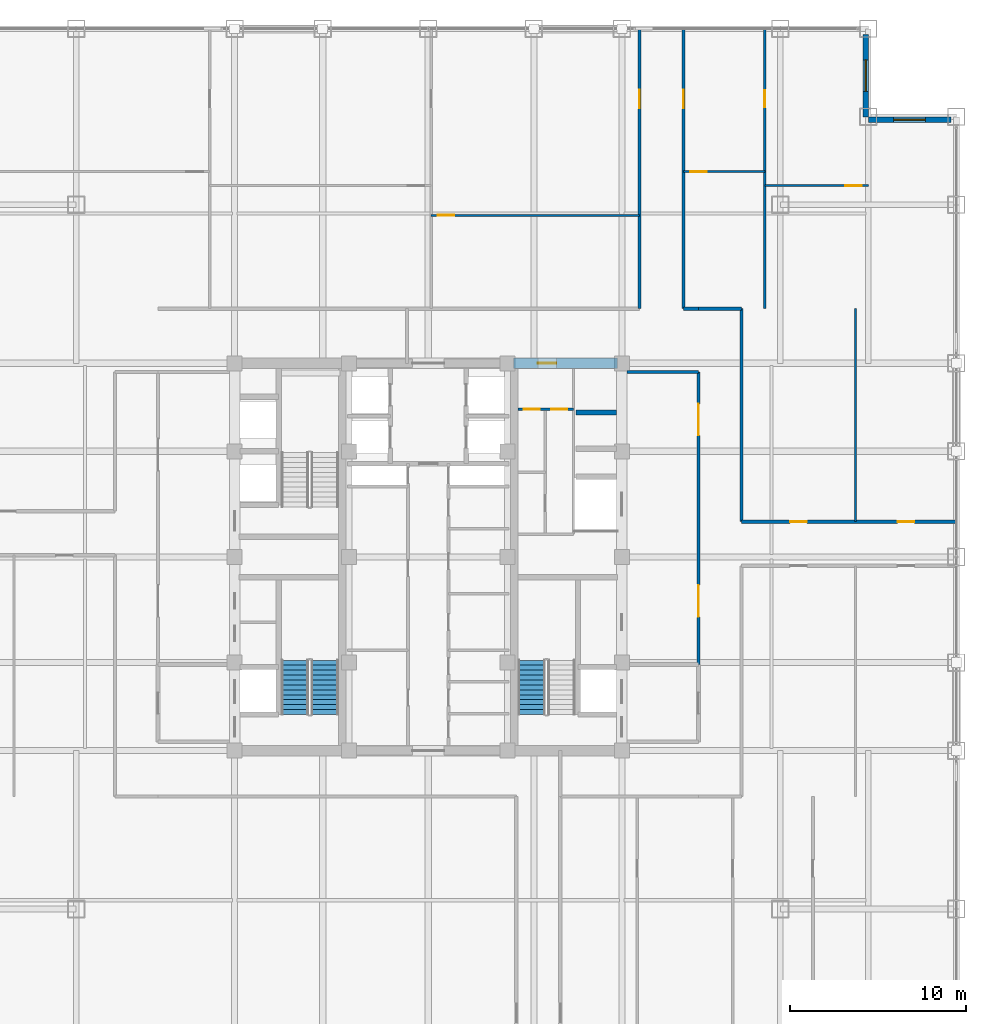
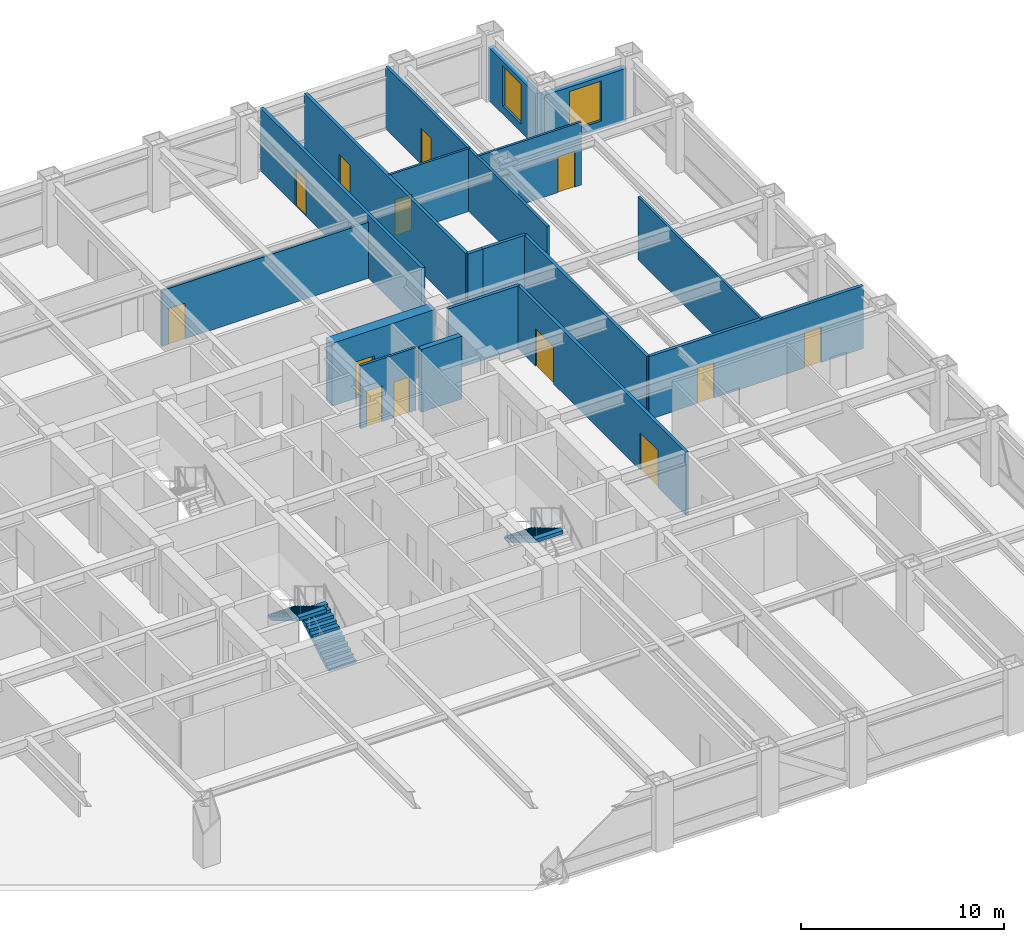
# One storey, part 23 of 25: 18 walls, 13 doors, 3 stair flights, 2 windows, 15 openings, 2 elements without a shape of their own.
"""IFC4 building model written with IfcOpenShell, lengths in metres."""

from ifc_helpers import new_model, si_unit, direction, frame, frame_2d, origin, place, context, subcontext, project, spatial, polyline, rectangle, outline, extrude, source, transform, mapped, material, layer, layer_set, type_object, element, fill, aggregate, save


model = new_model("IFC4")

# Units and contexts
model_context = context("Model", 3, precision=1e-05, world=origin(), true_north=direction((0.0, 1.0)))
body_context = subcontext(model_context, "Body", "Model", "MODEL_VIEW")
ifc_project = project(units=[si_unit("LENGTHUNIT", "METRE"), si_unit("AREAUNIT", "SQUARE_METRE"), si_unit("VOLUMEUNIT", "CUBIC_METRE"), si_unit("PLANEANGLEUNIT", "RADIAN"), si_unit("MASSUNIT", "GRAM", prefix="KILO")], contexts=[model_context])

# Site, building, storey
site_placement = place(None, origin())
site = spatial("IfcSite", under=ifc_project, at=site_placement, CompositionType="ELEMENT")
building_placement = place(site_placement, origin())
building = spatial("IfcBuilding", under=site, at=building_placement, Name="Khorayat Bourse Tower", CompositionType="ELEMENT")
storey_placement = place(building_placement, frame((0.0, 0.0, 223.10009765625)))
storey = spatial("IfcBuildingStorey", under=building, at=storey_placement, Name="L52", CompositionType="ELEMENT", Elevation=223.10009765625)

# Wall, opening, door
ifc_material_1 = material(Name="Concrete C60/75", Category="concrete")
ifc_layer_1 = layer(ifc_material_1, 0.60009765625)
ifc_layer_set_1 = layer_set([ifc_layer_1], Name="Concrete C60/75")
wall_type_1 = type_object("IfcWallType", Name="WAL-CORE-600", PredefinedType="SHEAR", material=ifc_layer_set_1)
shared_shape_1 = source(origin(), body_context, "Body", "SweptSolid", [
    extrude(rectangle(XDim=5.89990234375, YDim=0.60009765625, at=frame_2d((2.949951171875, 0.0))), origin(), (0.0, 0.0, 1.0), 3.77978515625),
])
wall_1_placement = place(storey_placement, frame((4.85009765625, 11.0, 0.0), z_axis=(0.0, 0.0, 1.0), x_axis=(1.0, 0.0, 0.0)))
wall_1 = element("IfcWall", 1, at=wall_1_placement, inside=storey, type_object=wall_type_1, Name="L52 Core Shear Wall PIER-EN", PredefinedType="SHEAR", context=body_context, shape_type="MappedRepresentation", body=[
    mapped(shared_shape_1, transform((0.0, 0.0, 0.0), scale=1.0)),
])
shared_shape_2 = source(origin(), body_context, "Body", "SweptSolid", [
    extrude(rectangle(XDim=1.050048828125, YDim=2.199951171875, at=frame_2d((0.52490234375, 1.10009765625))), frame((0.0, 0.31005859375, 0.0), z_axis=(0.0, -1.0, 0.0), x_axis=(1.0, 0.0, 0.0)), (0.0, 0.0, 1.0), 0.6201171875),
])
opening_1_placement = place(wall_1_placement, frame((1.375, 0.0, 0.0)))
opening_1 = element("IfcOpeningElement", 2, at=opening_1_placement, cuts=wall_1, Name="Opening DI-04", PredefinedType="OPENING", context=body_context, shape_type="MappedRepresentation", body=[
    mapped(shared_shape_2, transform((0.0, 0.0, 0.0), scale=1.0)),
])
ifc_material_2 = material(Name="Fire-rated oak veneer suite entrance door")
door_type_1 = type_object("IfcDoorType", Name="DR-INT-SUITE-1050", OperationType="NOTDEFINED", PredefinedType="DOOR", material=ifc_material_2)
shared_shape_3 = source(origin(), body_context, "Body", "SweptSolid", [
    extrude(rectangle(XDim=1.050048828125, YDim=2.199951171875, at=frame_2d((0.52490234375, 1.10009765625))), frame((0.0, 0.02490234375, 0.0), z_axis=(0.0, -1.0, 0.0), x_axis=(1.0, 0.0, 0.0)), (0.0, 0.0, 1.0), 0.050048828125),
])
door_1_placement = place(opening_1_placement, origin())
door_1 = element("IfcDoor", 3, at=door_1_placement, inside=storey, type_object=door_type_1, Name="L52 Core Washroom Lobby Door", OperationType="SINGLE_SWING_LEFT", OverallHeight=2.199951171875, OverallWidth=1.050048828125, PredefinedType="DOOR", context=body_context, shape_type="MappedRepresentation", body=[
    mapped(shared_shape_3, transform((0.0, 0.0, 0.0), scale=1.0)),
])
fill(opening_1, door_1)

# Wall, opening, window
ifc_material_3 = material(Name="Precast concrete C45/55", Category="concrete")
ifc_layer_2 = layer(ifc_material_3, 0.320068359375)
ifc_layer_set_2 = layer_set([ifc_layer_2], Name="Precast concrete C45/55")
wall_type_2 = type_object("IfcWallType", Name="WAL-EXT-STONE-320", PredefinedType="STANDARD", material=ifc_layer_set_2)
shared_shape_4 = source(origin(), body_context, "Body", "SweptSolid", [
    extrude(rectangle(XDim=4.679931640625, YDim=0.320068359375, at=frame_2d((2.33984375, 0.0))), origin(), (0.0, 0.0, 1.0), 3.163818359375),
])
wall_2_placement = place(storey_placement, frame((25.0, 24.840087890625, 0.0), z_axis=(0.0, 0.0, 1.0), x_axis=(1.0, 0.0, 0.0)))
wall_2 = element("IfcWall", 4, at=wall_2_placement, inside=storey, type_object=wall_type_2, Name="L52 Re-Entrant Notch Limestone Wall NE-H", PredefinedType="STANDARD", context=body_context, shape_type="MappedRepresentation", body=[
    mapped(shared_shape_4, transform((0.0, 0.0, 0.0), scale=1.0)),
])
shared_shape_5 = source(origin(), body_context, "Body", "SweptSolid", [
    extrude(rectangle(XDim=1.800048828125, YDim=2.39990234375, at=frame_2d((0.89990234375, 1.199951171875))), frame((0.0, 0.169921875, 0.0), z_axis=(0.0, -1.0, 0.0), x_axis=(1.0, 0.0, 0.0)), (0.0, 0.0, 1.0), 0.340087890625),
])
opening_2_placement = place(wall_2_placement, frame((1.43994140625, 0.0, 0.5)))
opening_2 = element("IfcOpeningElement", 5, at=opening_2_placement, cuts=wall_2, Name="Opening WN-04", PredefinedType="OPENING", context=body_context, shape_type="MappedRepresentation", body=[
    mapped(shared_shape_5, transform((0.0, 0.0, 0.0), scale=1.0)),
])
ifc_material_4 = material(Name="Low-E acoustic laminated double glazing", Category="glass")
window_type = type_object("IfcWindowType", Name="WIN-NOTCH-1800x2400", PartitioningType="SINGLE_PANEL", PredefinedType="WINDOW", material=ifc_material_4)
shared_shape_6 = source(origin(), body_context, "Body", "SweptSolid", [
    extrude(rectangle(XDim=1.800048828125, YDim=2.39990234375, at=frame_2d((0.89990234375, 1.199951171875))), frame((0.0, 0.030029296875, 0.0), z_axis=(0.0, -1.0, 0.0), x_axis=(1.0, 0.0, 0.0)), (0.0, 0.0, 1.0), 0.06005859375),
])
window_1_placement = place(opening_2_placement, origin())
window_1 = element("IfcWindow", 6, at=window_1_placement, inside=storey, type_object=window_type, Name="L52 Facade Window 1", OverallHeight=2.39990234375, OverallWidth=1.800048828125, PartitioningType="SINGLE_PANEL", PredefinedType="WINDOW", context=body_context, shape_type="MappedRepresentation", body=[
    mapped(shared_shape_6, transform((0.0, 0.0, 0.0), scale=1.0)),
])
fill(opening_2, window_1)

wall_3_placement = place(storey_placement, frame((24.840087890625, 25.0, 0.0), z_axis=(0.0, 0.0, 1.0), x_axis=(0.0, 1.0, 0.0)))
wall_3 = element("IfcWall", 7, at=wall_3_placement, inside=storey, type_object=wall_type_2, Name="L52 Re-Entrant Notch Limestone Wall NE-V", PredefinedType="STANDARD", context=body_context, shape_type="MappedRepresentation", body=[
    mapped(shared_shape_4, transform((0.0, 0.0, 0.0), scale=1.0)),
])
opening_3_placement = place(wall_3_placement, frame((1.43994140625, 0.0, 0.5)))
opening_3 = element("IfcOpeningElement", 8, at=opening_3_placement, cuts=wall_3, Name="Opening WN-04", PredefinedType="OPENING", context=body_context, shape_type="MappedRepresentation", body=[
    mapped(shared_shape_5, transform((0.0, 0.0, 0.0), scale=1.0)),
])
window_2_placement = place(opening_3_placement, origin())
window_2 = element("IfcWindow", 9, at=window_2_placement, inside=storey, type_object=window_type, Name="L52 Facade Window 1", OverallHeight=2.39990234375, OverallWidth=1.800048828125, PartitioningType="SINGLE_PANEL", PredefinedType="WINDOW", context=body_context, shape_type="MappedRepresentation", body=[
    mapped(shared_shape_6, transform((0.0, 0.0, 0.0), scale=1.0)),
])
fill(opening_3, window_2)

# Wall
ifc_material_5 = material(Name="Concrete C50/60", Category="concrete")
ifc_layer_3 = layer(ifc_material_5, 0.300048828125)
ifc_layer_set_3 = layer_set([ifc_layer_3], Name="Concrete C50/60")
wall_type_3 = type_object("IfcWallType", Name="WAL-SHAFT-300", PredefinedType="SHEAR", material=ifc_layer_set_3)
shared_shape_7 = source(origin(), body_context, "Body", "SweptSolid", [
    extrude(rectangle(XDim=2.300048828125, YDim=0.300048828125, at=frame_2d((1.14990234375, 0.0))), origin(), (0.0, 0.0, 1.0), 3.77978515625),
])
wall_4_placement = place(storey_placement, frame((8.39990234375, 8.199951171875, 0.0), z_axis=(0.0, 0.0, 1.0), x_axis=(1.0, 0.0, 0.0)))
element("IfcWall", 10, at=wall_4_placement, inside=storey, type_object=wall_type_3, Name="L52 Partition WAL-L52-EPIER-H34", PredefinedType="SHEAR", context=body_context, shape_type="MappedRepresentation", body=[
    mapped(shared_shape_7, transform((0.0, 0.0, 0.0), scale=1.0)),
])

# Wall, openings, doors
ifc_material_6 = material(Name="Moisture-resistant masonry partition", Category="masonry")
ifc_layer_4 = layer(ifc_material_6, 0.139892578125)
ifc_layer_set_4 = layer_set([ifc_layer_4], Name="Moisture-resistant masonry partition")
wall_type_4 = type_object("IfcWallType", Name="WAL-PART-WET-140", PredefinedType="PARTITIONING", material=ifc_layer_set_4)
shared_shape_8 = source(origin(), body_context, "Body", "SweptSolid", [
    extrude(rectangle(XDim=3.14990234375, YDim=0.139892578125, at=frame_2d((1.574951171875, 0.0))), origin(), (0.0, 0.0, 1.0), 3.77978515625),
])
wall_5_placement = place(storey_placement, frame((5.10009765625, 8.39990234375, 0.0), z_axis=(0.0, 0.0, 1.0), x_axis=(1.0, 0.0, 0.0)))
wall_5 = element("IfcWall", 11, at=wall_5_placement, inside=storey, type_object=wall_type_4, Name="L52 Partition WAL-L52-ECW-TOP", PredefinedType="PARTITIONING", context=body_context, shape_type="MappedRepresentation", body=[
    mapped(shared_shape_8, transform((0.0, 0.0, 0.0), scale=1.0)),
])
shared_shape_9 = source(origin(), body_context, "Body", "SweptSolid", [
    extrude(rectangle(XDim=0.89990234375, YDim=2.14990234375, at=frame_2d((0.449951171875, 1.074951171875))), frame((0.0, 0.079833984375, 0.0), z_axis=(0.0, -1.0, 0.0), x_axis=(1.0, 0.0, 0.0)), (0.0, 0.0, 1.0), 0.159912109375),
])
opening_4_placement = place(wall_5_placement, frame((0.330078125, 0.0, 0.0)))
opening_4 = element("IfcOpeningElement", 12, at=opening_4_placement, cuts=wall_5, Name="Opening DI-06", PredefinedType="OPENING", context=body_context, shape_type="MappedRepresentation", body=[
    mapped(shared_shape_9, transform((0.0, 0.0, 0.0), scale=1.0)),
])
opening_5_placement = place(wall_5_placement, frame((1.89990234375, 0.0, 0.0)))
opening_5 = element("IfcOpeningElement", 13, at=opening_5_placement, cuts=wall_5, Name="Opening DI-06", PredefinedType="OPENING", context=body_context, shape_type="MappedRepresentation", body=[
    mapped(shared_shape_9, transform((0.0, 0.0, 0.0), scale=1.0)),
])
ifc_material_7 = material(Name="Moisture-resistant laminate washroom door")
door_type_2 = type_object("IfcDoorType", Name="DR-INT-WC-900", OperationType="NOTDEFINED", PredefinedType="DOOR", material=ifc_material_7)
shared_shape_10 = source(origin(), body_context, "Body", "SweptSolid", [
    extrude(rectangle(XDim=0.89990234375, YDim=2.14990234375, at=frame_2d((0.449951171875, 1.074951171875))), frame((0.0, 0.02490234375, 0.0), z_axis=(0.0, -1.0, 0.0), x_axis=(1.0, 0.0, 0.0)), (0.0, 0.0, 1.0), 0.050048828125),
])
door_2_placement = place(opening_4_placement, origin())
door_2 = element("IfcDoor", 14, at=door_2_placement, inside=storey, type_object=door_type_2, Name="L52 Accessible WC Door", OperationType="SINGLE_SWING_LEFT", OverallHeight=2.14990234375, OverallWidth=0.89990234375, PredefinedType="DOOR", context=body_context, shape_type="MappedRepresentation", body=[
    mapped(shared_shape_10, transform((0.0, 0.0, 0.0), scale=1.0)),
])
fill(opening_4, door_2)
door_3_placement = place(opening_5_placement, origin())
door_3 = element("IfcDoor", 15, at=door_3_placement, inside=storey, type_object=door_type_2, Name="L52 Shared Washroom Door", OperationType="SINGLE_SWING_RIGHT", OverallHeight=2.14990234375, OverallWidth=0.89990234375, PredefinedType="DOOR", context=body_context, shape_type="MappedRepresentation", body=[
    mapped(shared_shape_10, transform((0.0, 0.0, 0.0), scale=1.0)),
])
fill(opening_5, door_3)

# Wall
ifc_material_8 = material(Name="Gypsum plasterboard acoustic stud wall")
ifc_layer_5 = layer(ifc_material_8, 0.179931640625)
ifc_layer_set_5 = layer_set([ifc_layer_5], Name="Gypsum plasterboard acoustic stud wall")
wall_type_5 = type_object("IfcWallType", Name="WAL-PART-CORR-180", PredefinedType="PARTITIONING", material=ifc_layer_set_5)
shared_shape_11 = source(origin(), body_context, "Body", "SweptSolid", [
    extrude(rectangle(XDim=4.050048828125, YDim=0.179931640625, at=frame_2d((2.02490234375, 0.0))), origin(), (0.0, 0.0, 1.0), 3.77978515625),
])
wall_6_placement = place(storey_placement, frame((11.300048828125, 10.5, 0.0), z_axis=(0.0, 0.0, 1.0), x_axis=(1.0, 0.0, 0.0)))
element("IfcWall", 16, at=wall_6_placement, inside=storey, type_object=wall_type_5, Name="L52 Partition WAL-L52-ELOB-N", PredefinedType="PARTITIONING", context=body_context, shape_type="MappedRepresentation", body=[
    mapped(shared_shape_11, transform((0.0, 0.0, 0.0), scale=1.0)),
])

# Wall, openings, doors
shared_shape_12 = source(origin(), body_context, "Body", "SweptSolid", [
    extrude(rectangle(XDim=16.60009765625, YDim=0.179931640625, at=frame_2d((8.300048828125, 0.0))), origin(), (0.0, 0.0, 1.0), 3.77978515625),
])
wall_7_placement = place(storey_placement, frame((15.35009765625, -6.10009765625, 0.0), z_axis=(0.0, 0.0, 1.0), x_axis=(0.0, 1.0, 0.0)))
wall_7 = element("IfcWall", 17, at=wall_7_placement, inside=storey, type_object=wall_type_5, Name="L52 Partition WAL-L52-ELOB-E", PredefinedType="PARTITIONING", context=body_context, shape_type="MappedRepresentation", body=[
    mapped(shared_shape_12, transform((0.0, 0.0, 0.0), scale=1.0)),
])
shared_shape_13 = source(origin(), body_context, "Body", "SweptSolid", [
    extrude(rectangle(XDim=1.800048828125, YDim=2.25, at=frame_2d((0.89990234375, 1.125))), frame((0.0, 0.099853515625, 0.0), z_axis=(0.0, -1.0, 0.0), x_axis=(1.0, 0.0, 0.0)), (0.0, 0.0, 1.0), 0.199951171875),
])
opening_6_placement = place(wall_7_placement, frame((2.699951171875, 0.0, 0.0)))
opening_6 = element("IfcOpeningElement", 18, at=opening_6_placement, cuts=wall_7, Name="Opening DI-03", PredefinedType="OPENING", context=body_context, shape_type="MappedRepresentation", body=[
    mapped(shared_shape_13, transform((0.0, 0.0, 0.0), scale=1.0)),
])
opening_7_placement = place(wall_7_placement, frame((13.0, 0.0, 0.0)))
opening_7 = element("IfcOpeningElement", 19, at=opening_7_placement, cuts=wall_7, Name="Opening DI-03", PredefinedType="OPENING", context=body_context, shape_type="MappedRepresentation", body=[
    mapped(shared_shape_13, transform((0.0, 0.0, 0.0), scale=1.0)),
])
ifc_material_9 = material(Name="Fire-rated hardwood vision-panel double leaf", Category="wood")
door_type_3 = type_object("IfcDoorType", Name="DR-INT-CORR-1800", OperationType="NOTDEFINED", PredefinedType="DOOR", material=ifc_material_9)
shared_shape_14 = source(origin(), body_context, "Body", "SweptSolid", [
    extrude(rectangle(XDim=1.800048828125, YDim=2.25, at=frame_2d((0.89990234375, 1.125))), frame((0.0, 0.02490234375, 0.0), z_axis=(0.0, -1.0, 0.0), x_axis=(1.0, 0.0, 0.0)), (0.0, 0.0, 1.0), 0.050048828125),
])
door_4_placement = place(opening_6_placement, origin())
door_4 = element("IfcDoor", 20, at=door_4_placement, inside=storey, type_object=door_type_3, Name="L52 East Core Lobby South Door", OperationType="SINGLE_SWING_RIGHT", OverallHeight=2.25, OverallWidth=1.800048828125, PredefinedType="DOOR", context=body_context, shape_type="MappedRepresentation", body=[
    mapped(shared_shape_14, transform((0.0, 0.0, 0.0), scale=1.0)),
])
fill(opening_6, door_4)
door_5_placement = place(opening_7_placement, origin())
door_5 = element("IfcDoor", 21, at=door_5_placement, inside=storey, type_object=door_type_3, Name="L52 East Core Lobby North Door", OperationType="SINGLE_SWING_LEFT", OverallHeight=2.25, OverallWidth=1.800048828125, PredefinedType="DOOR", context=body_context, shape_type="MappedRepresentation", body=[
    mapped(shared_shape_14, transform((0.0, 0.0, 0.0), scale=1.0)),
])
fill(opening_7, door_5)

# Walls
shared_shape_15 = source(origin(), body_context, "Body", "SweptSolid", [
    extrude(rectangle(XDim=2.449951171875, YDim=0.179931640625, at=frame_2d((1.22509765625, 0.0))), origin(), (0.0, 0.0, 1.0), 3.77978515625),
])
wall_8_placement = place(storey_placement, frame((15.35009765625, 14.10009765625, 0.0), z_axis=(0.0, 0.0, 1.0), x_axis=(1.0, 0.0, 0.0)))
element("IfcWall", 22, at=wall_8_placement, inside=storey, type_object=wall_type_5, Name="L52 Partition WAL-L52-C2-EN", PredefinedType="PARTITIONING", context=body_context, shape_type="MappedRepresentation", body=[
    mapped(shared_shape_15, transform((0.0, 0.0, 0.0), scale=1.0)),
])
shared_shape_16 = source(origin(), body_context, "Body", "SweptSolid", [
    extrude(rectangle(XDim=0.85009765625, YDim=0.179931640625, at=frame_2d((0.425048828125, 0.0))), origin(), (0.0, 0.0, 1.0), 3.77978515625),
])
wall_9_placement = place(storey_placement, frame((14.5, 14.10009765625, 0.0), z_axis=(0.0, 0.0, 1.0), x_axis=(1.0, 0.0, 0.0)))
element("IfcWall", 23, at=wall_9_placement, inside=storey, type_object=wall_type_5, Name="L52 Partition WAL-L52-QNE-HC", PredefinedType="PARTITIONING", context=body_context, shape_type="MappedRepresentation", body=[
    mapped(shared_shape_16, transform((0.0, 0.0, 0.0), scale=1.0)),
])

# Wall, openings, doors
shared_shape_17 = source(origin(), body_context, "Body", "SweptSolid", [
    extrude(rectangle(XDim=12.199951171875, YDim=0.179931640625, at=frame_2d((6.10009765625, 0.0))), origin(), (0.0, 0.0, 1.0), 3.77978515625),
])
wall_10_placement = place(storey_placement, frame((17.800048828125, 2.0, 0.0), z_axis=(0.0, 0.0, 1.0), x_axis=(1.0, 0.0, 0.0)))
wall_10 = element("IfcWall", 24, at=wall_10_placement, inside=storey, type_object=wall_type_5, Name="L52 Partition WAL-L52-EN-SPK", PredefinedType="PARTITIONING", context=body_context, shape_type="MappedRepresentation", body=[
    mapped(shared_shape_17, transform((0.0, 0.0, 0.0), scale=1.0)),
])
shared_shape_18 = source(origin(), body_context, "Body", "SweptSolid", [
    extrude(rectangle(XDim=0.949951171875, YDim=2.14990234375, at=frame_2d((0.47509765625, 1.074951171875))), frame((0.0, 0.099853515625, 0.0), z_axis=(0.0, -1.0, 0.0), x_axis=(1.0, 0.0, 0.0)), (0.0, 0.0, 1.0), 0.199951171875),
])
opening_8_placement = place(wall_10_placement, frame((2.758056640625, 0.0, 0.0)))
opening_8 = element("IfcOpeningElement", 25, at=opening_8_placement, cuts=wall_10, Name="Opening DI-05", PredefinedType="OPENING", context=body_context, shape_type="MappedRepresentation", body=[
    mapped(shared_shape_18, transform((0.0, 0.0, 0.0), scale=1.0)),
])
opening_9_placement = place(wall_10_placement, frame((8.85791015625, 0.0, 0.0)))
opening_9 = element("IfcOpeningElement", 26, at=opening_9_placement, cuts=wall_10, Name="Opening DI-05", PredefinedType="OPENING", context=body_context, shape_type="MappedRepresentation", body=[
    mapped(shared_shape_18, transform((0.0, 0.0, 0.0), scale=1.0)),
])
ifc_material_10 = material(Name="Acoustic oak veneer office door")
door_type_4 = type_object("IfcDoorType", Name="DR-INT-OFFICE-950", OperationType="NOTDEFINED", PredefinedType="DOOR", material=ifc_material_10)
shared_shape_19 = source(origin(), body_context, "Body", "SweptSolid", [
    extrude(rectangle(XDim=0.949951171875, YDim=2.14990234375, at=frame_2d((0.47509765625, 1.074951171875))), frame((0.0, 0.02490234375, 0.0), z_axis=(0.0, -1.0, 0.0), x_axis=(1.0, 0.0, 0.0)), (0.0, 0.0, 1.0), 0.050048828125),
])
door_6_placement = place(opening_8_placement, origin())
door_6 = element("IfcDoor", 27, at=door_6_placement, inside=storey, type_object=door_type_4, Name="L52 Staff Tea Pantry ENA Door", OperationType="SINGLE_SWING_LEFT", OverallHeight=2.14990234375, OverallWidth=0.949951171875, PredefinedType="DOOR", context=body_context, shape_type="MappedRepresentation", body=[
    mapped(shared_shape_19, transform((0.0, 0.0, 0.0), scale=1.0)),
])
fill(opening_8, door_6)
door_7_placement = place(opening_9_placement, origin())
door_7 = element("IfcDoor", 28, at=door_7_placement, inside=storey, type_object=door_type_4, Name="L52 Quantitative Research Study ENB Door", OperationType="SINGLE_SWING_RIGHT", OverallHeight=2.14990234375, OverallWidth=0.949951171875, PredefinedType="DOOR", context=body_context, shape_type="MappedRepresentation", body=[
    mapped(shared_shape_19, transform((0.0, 0.0, 0.0), scale=1.0)),
])
fill(opening_9, door_7)

# Wall, opening, door
shared_shape_20 = source(origin(), body_context, "Body", "SweptSolid", [
    extrude(rectangle(XDim=15.89990234375, YDim=0.179931640625, at=frame_2d((7.949951171875, 0.0))), origin(), (0.0, 0.0, 1.0), 3.77978515625),
])
wall_11_placement = place(storey_placement, frame((12.0, 14.10009765625, 0.0), z_axis=(0.0, 0.0, 1.0), x_axis=(0.0, 1.0, 0.0)))
wall_11 = element("IfcWall", 29, at=wall_11_placement, inside=storey, type_object=wall_type_5, Name="L52 Partition WAL-L52-QNW-SPK", PredefinedType="PARTITIONING", context=body_context, shape_type="MappedRepresentation", body=[
    mapped(shared_shape_20, transform((0.0, 0.0, 0.0), scale=1.0)),
])
shared_shape_21 = source(origin(), body_context, "Body", "SweptSolid", [
    extrude(rectangle(XDim=1.050048828125, YDim=2.199951171875, at=frame_2d((0.52490234375, 1.10009765625))), frame((0.0, 0.099853515625, 0.0), z_axis=(0.0, -1.0, 0.0), x_axis=(1.0, 0.0, 0.0)), (0.0, 0.0, 1.0), 0.199951171875),
])
opening_10_placement = place(wall_11_placement, frame((11.39990234375, 0.0, 0.0)))
opening_10 = element("IfcOpeningElement", 30, at=opening_10_placement, cuts=wall_11, Name="Opening DI-04", PredefinedType="OPENING", context=body_context, shape_type="MappedRepresentation", body=[
    mapped(shared_shape_21, transform((0.0, 0.0, 0.0), scale=1.0)),
])
door_8_placement = place(opening_10_placement, origin())
door_8 = element("IfcDoor", 31, at=door_8_placement, inside=storey, type_object=door_type_1, Name="L52 North-West Radial Spoke Entry", OperationType="SINGLE_SWING_LEFT", OverallHeight=2.199951171875, OverallWidth=1.050048828125, PredefinedType="DOOR", context=body_context, shape_type="MappedRepresentation", body=[
    mapped(shared_shape_3, transform((0.0, 0.0, 0.0), scale=1.0)),
])
fill(opening_10, door_8)

wall_12_placement = place(storey_placement, frame((14.5, 14.10009765625, 0.0), z_axis=(0.0, 0.0, 1.0), x_axis=(0.0, 1.0, 0.0)))
wall_12 = element("IfcWall", 32, at=wall_12_placement, inside=storey, type_object=wall_type_5, Name="L52 Partition WAL-L52-QNE-SPK", PredefinedType="PARTITIONING", context=body_context, shape_type="MappedRepresentation", body=[
    mapped(shared_shape_20, transform((0.0, 0.0, 0.0), scale=1.0)),
])
opening_11_placement = place(wall_12_placement, frame((11.39990234375, 0.0, 0.0)))
opening_11 = element("IfcOpeningElement", 33, at=opening_11_placement, cuts=wall_12, Name="Opening DI-04", PredefinedType="OPENING", context=body_context, shape_type="MappedRepresentation", body=[
    mapped(shared_shape_21, transform((0.0, 0.0, 0.0), scale=1.0)),
])
door_9_placement = place(opening_11_placement, origin())
door_9 = element("IfcDoor", 34, at=door_9_placement, inside=storey, type_object=door_type_1, Name="L52 North-East Radial Spoke Entry", OperationType="SINGLE_SWING_LEFT", OverallHeight=2.199951171875, OverallWidth=1.050048828125, PredefinedType="DOOR", context=body_context, shape_type="MappedRepresentation", body=[
    mapped(shared_shape_3, transform((0.0, 0.0, 0.0), scale=1.0)),
])
fill(opening_11, door_9)

ifc_material_11 = material(Name="Gypsum plasterboard twin-frame partition")
ifc_layer_6 = layer(ifc_material_11, 0.14990234375)
ifc_layer_set_6 = layer_set([ifc_layer_6], Name="Gypsum plasterboard twin-frame partition")
wall_type_6 = type_object("IfcWallType", Name="WAL-PART-SUITE-150", PredefinedType="PARTITIONING", material=ifc_layer_set_6)
shared_shape_22 = source(origin(), body_context, "Body", "SweptSolid", [
    extrude(rectangle(XDim=15.89990234375, YDim=0.14990234375, at=frame_2d((7.949951171875, 0.0))), origin(), (0.0, 0.0, 1.0), 3.77978515625),
])
wall_13_placement = place(storey_placement, frame((19.1201171875, 14.10009765625, 0.0), z_axis=(0.0, 0.0, 1.0), x_axis=(0.0, 1.0, 0.0)))
wall_13 = element("IfcWall", 35, at=wall_13_placement, inside=storey, type_object=wall_type_6, Name="L52 Partition WAL-L52-QNEDV-1", PredefinedType="PARTITIONING", context=body_context, shape_type="MappedRepresentation", body=[
    mapped(shared_shape_22, transform((0.0, 0.0, 0.0), scale=1.0)),
])
shared_shape_23 = source(origin(), body_context, "Body", "SweptSolid", [
    extrude(rectangle(XDim=0.949951171875, YDim=2.14990234375, at=frame_2d((0.47509765625, 1.074951171875))), frame((0.0, 0.0849609375, 0.0), z_axis=(0.0, -1.0, 0.0), x_axis=(1.0, 0.0, 0.0)), (0.0, 0.0, 1.0), 0.169921875),
])
opening_12_placement = place(wall_13_placement, frame((11.449951171875, 0.0, 0.0)))
opening_12 = element("IfcOpeningElement", 36, at=opening_12_placement, cuts=wall_13, Name="Opening DI-05", PredefinedType="OPENING", context=body_context, shape_type="MappedRepresentation", body=[
    mapped(shared_shape_23, transform((0.0, 0.0, 0.0), scale=1.0)),
])
door_10_placement = place(opening_12_placement, origin())
door_10 = element("IfcDoor", 37, at=door_10_placement, inside=storey, type_object=door_type_4, Name="L52 North-East Suite Link 1", OperationType="SINGLE_SWING_RIGHT", OverallHeight=2.14990234375, OverallWidth=0.949951171875, PredefinedType="DOOR", context=body_context, shape_type="MappedRepresentation", body=[
    mapped(shared_shape_19, transform((0.0, 0.0, 0.0), scale=1.0)),
])
fill(opening_12, door_10)

# Wall
shared_shape_24 = source(origin(), body_context, "Body", "SweptSolid", [
    extrude(rectangle(XDim=12.10009765625, YDim=0.179931640625, at=frame_2d((6.050048828125, 0.0))), origin(), (0.0, 0.0, 1.0), 3.77978515625),
])
wall_14_placement = place(storey_placement, frame((17.800048828125, 2.0, 0.0), z_axis=(0.0, 0.0, 1.0), x_axis=(0.0, 1.0, 0.0)))
element("IfcWall", 38, at=wall_14_placement, inside=storey, type_object=wall_type_5, Name="L52 Partition WAL-L52-EN-IN", PredefinedType="PARTITIONING", context=body_context, shape_type="MappedRepresentation", body=[
    mapped(shared_shape_24, transform((0.0, 0.0, 0.0), scale=1.0)),
])

# Wall, opening, door
ifc_material_12 = material(Name="Gypsum plasterboard partition")
ifc_layer_7 = layer(ifc_material_12, 0.125)
ifc_layer_set_7 = layer_set([ifc_layer_7], Name="Gypsum plasterboard partition")
wall_type_7 = type_object("IfcWallType", Name="WAL-PART-ROOM-125", PredefinedType="PARTITIONING", material=ifc_layer_set_7)
shared_shape_25 = source(origin(), body_context, "Body", "SweptSolid", [
    extrude(rectangle(XDim=11.840087890625, YDim=0.125, at=frame_2d((5.919921875, 0.0))), origin(), (0.0, 0.0, 1.0), 3.36279296875),
])
wall_15_placement = place(storey_placement, frame((0.159912109375, 19.40087890625, 0.0), z_axis=(0.0, 0.0, 1.0), x_axis=(1.0, 0.0, 0.0)))
wall_15 = element("IfcWall", 39, at=wall_15_placement, inside=storey, type_object=wall_type_7, Name="L52 Partition WAL-L52-QNWDP-3", PredefinedType="PARTITIONING", context=body_context, shape_type="MappedRepresentation", body=[
    mapped(shared_shape_25, transform((0.0, 0.0, 0.0), scale=1.0)),
])
shared_shape_26 = source(origin(), body_context, "Body", "SweptSolid", [
    extrude(rectangle(XDim=0.949951171875, YDim=2.14990234375, at=frame_2d((0.47509765625, 1.074951171875))), frame((0.0, 0.072509765625, 0.0), z_axis=(0.0, -1.0, 0.0), x_axis=(1.0, 0.0, 0.0)), (0.0, 0.0, 1.0), 0.14501953125),
])
opening_13_placement = place(wall_15_placement, frame((0.375, 0.0, 0.0)))
opening_13 = element("IfcOpeningElement", 40, at=opening_13_placement, cuts=wall_15, Name="Opening DI-05", PredefinedType="OPENING", context=body_context, shape_type="MappedRepresentation", body=[
    mapped(shared_shape_26, transform((0.0, 0.0, 0.0), scale=1.0)),
])
door_11_placement = place(opening_13_placement, origin())
door_11 = element("IfcDoor", 41, at=door_11_placement, inside=storey, type_object=door_type_4, Name="L52 North-West Issuer Listing Showroom 3B Door", OperationType="SINGLE_SWING_RIGHT", OverallHeight=2.14990234375, OverallWidth=0.949951171875, PredefinedType="DOOR", context=body_context, shape_type="MappedRepresentation", body=[
    mapped(shared_shape_19, transform((0.0, 0.0, 0.0), scale=1.0)),
])
fill(opening_13, door_11)

shared_shape_27 = source(origin(), body_context, "Body", "SweptSolid", [
    extrude(rectangle(XDim=4.6201171875, YDim=0.125, at=frame_2d((2.31005859375, 0.0))), origin(), (0.0, 0.0, 1.0), 3.77978515625),
])
wall_16_placement = place(storey_placement, frame((14.5, 21.89111328125, 0.0), z_axis=(0.0, 0.0, 1.0), x_axis=(1.0, 0.0, 0.0)))
wall_16 = element("IfcWall", 42, at=wall_16_placement, inside=storey, type_object=wall_type_7, Name="L52 Partition WAL-L52-QNEDP-1", PredefinedType="PARTITIONING", context=body_context, shape_type="MappedRepresentation", body=[
    mapped(shared_shape_27, transform((0.0, 0.0, 0.0), scale=1.0)),
])
opening_14_placement = place(wall_16_placement, frame((0.375, 0.0, 0.0)))
opening_14 = element("IfcOpeningElement", 43, at=opening_14_placement, cuts=wall_16, Name="Opening DI-05", PredefinedType="OPENING", context=body_context, shape_type="MappedRepresentation", body=[
    mapped(shared_shape_26, transform((0.0, 0.0, 0.0), scale=1.0)),
])
door_12_placement = place(opening_14_placement, origin())
door_12 = element("IfcDoor", 44, at=door_12_placement, inside=storey, type_object=door_type_4, Name="L52 North-East Executive Boardroom 1B Door", OperationType="SINGLE_SWING_RIGHT", OverallHeight=2.14990234375, OverallWidth=0.949951171875, PredefinedType="DOOR", context=body_context, shape_type="MappedRepresentation", body=[
    mapped(shared_shape_19, transform((0.0, 0.0, 0.0), scale=1.0)),
])
fill(opening_14, door_12)

shared_shape_28 = source(origin(), body_context, "Body", "SweptSolid", [
    extrude(rectangle(XDim=5.8798828125, YDim=0.125, at=frame_2d((2.93994140625, 0.0))), origin(), (0.0, 0.0, 1.0), 3.77978515625),
])
wall_17_placement = place(storey_placement, frame((19.1201171875, 21.095947265625, 0.0), z_axis=(0.0, 0.0, 1.0), x_axis=(1.0, 0.0, 0.0)))
wall_17 = element("IfcWall", 45, at=wall_17_placement, inside=storey, type_object=wall_type_7, Name="L52 Partition WAL-L52-QNEDP-2", PredefinedType="PARTITIONING", context=body_context, shape_type="MappedRepresentation", body=[
    mapped(shared_shape_28, transform((0.0, 0.0, 0.0), scale=1.0)),
])
opening_15_placement = place(wall_17_placement, frame((4.554931640625, 0.0, 0.0)))
opening_15 = element("IfcOpeningElement", 46, at=opening_15_placement, cuts=wall_17, Name="Opening DI-05", PredefinedType="OPENING", context=body_context, shape_type="MappedRepresentation", body=[
    mapped(shared_shape_26, transform((0.0, 0.0, 0.0), scale=1.0)),
])
door_13_placement = place(opening_15_placement, origin())
door_13 = element("IfcDoor", 47, at=door_13_placement, inside=storey, type_object=door_type_4, Name="L52 North-East Financial Training Classroom 2B Door", OperationType="SINGLE_SWING_LEFT", OverallHeight=2.14990234375, OverallWidth=0.949951171875, PredefinedType="DOOR", context=body_context, shape_type="MappedRepresentation", body=[
    mapped(shared_shape_19, transform((0.0, 0.0, 0.0), scale=1.0)),
])
fill(opening_15, door_13)

# Wall
shared_shape_29 = source(origin(), body_context, "Body", "SweptSolid", [
    extrude(rectangle(XDim=12.10009765625, YDim=0.125, at=frame_2d((6.050048828125, 0.0))), origin(), (0.0, 0.0, 1.0), 3.77978515625),
])
wall_18_placement = place(storey_placement, frame((24.26611328125, 2.0, 0.0), z_axis=(0.0, 0.0, 1.0), x_axis=(0.0, 1.0, 0.0)))
element("IfcWall", 48, at=wall_18_placement, inside=storey, type_object=wall_type_7, Name="L52 Partition WAL-L52-EN-DV", PredefinedType="PARTITIONING", context=body_context, shape_type="MappedRepresentation", body=[
    mapped(shared_shape_29, transform((0.0, 0.0, 0.0), scale=1.0)),
])

# Stair, stair flights
ifc_material_13 = material(Name="Concrete C40/50", Category="concrete")
stair_type = type_object("IfcStairType", Name="STR-CORE-1550", PredefinedType="HALF_TURN_STAIR", material=ifc_material_13)
stair_1_placement = place(storey_placement, origin())
stair_1 = element("IfcStair", 49, at=stair_1_placement, inside=storey, type_object=stair_type, Name="L52 Exit Stair ST-1", PredefinedType="HALF_TURN_STAIR")
stair_flight_type = type_object("IfcStairFlightType", Name="FLT-CORE-1550", PredefinedType="STRAIGHT", material=ifc_material_13)
shared_shape_30 = source(origin(), body_context, "Body", "SweptSolid", [
    extrude(outline(polyline([(0.0, 0.0), (0.0, 0.166748046875), (0.280029296875, 0.166748046875), (0.280029296875, 0.333251953125), (0.56005859375, 0.333251953125), (0.56005859375, 0.5), (0.840087890625, 0.5), (0.840087890625, 0.666748046875), (1.1201171875, 0.666748046875), (1.1201171875, 0.833251953125), (1.39990234375, 0.833251953125), (1.39990234375, 1.0), (1.679931640625, 1.0), (1.679931640625, 1.166748046875), (1.9599609375, 1.166748046875), (1.9599609375, 1.333251953125), (2.239990234375, 1.333251953125), (2.239990234375, 1.5), (2.52001953125, 1.5), (2.52001953125, 1.666748046875), (2.800048828125, 1.666748046875), (2.800048828125, 1.833251953125), (3.080078125, 1.833251953125), (3.080078125, 2.0), (3.080078125, 1.6240234375), (0.351806640625, 0.0), (0.0, 0.0)])), frame((0.0, 0.77490234375, 0.0), z_axis=(0.0, -1.0, 0.0), x_axis=(1.0, 0.0, 0.0)), (0.0, 0.0, 1.0), 1.550048828125),
])
stair_flight_1_placement = place(storey_placement, frame((-5.875, -8.949951171875, 0.0), z_axis=(0.0, 0.0, 1.0), x_axis=(0.0, 1.0, 0.0)))
stair_flight_1 = element("IfcStairFlight", 50, at=stair_flight_1_placement, type_object=stair_flight_type, Name="ST-1 flight 1", NumberOfRisers=12, NumberOfTreads=11, PredefinedType="STRAIGHT", RiserHeight=0.166666667, TreadLength=0.28, context=body_context, shape_type="MappedRepresentation", body=[
    mapped(shared_shape_30, transform((0.0, 0.0, 0.0), scale=1.0)),
])
stair_flight_2_placement = place(storey_placement, frame((-7.574951171875, -5.8701171875, 2.0), z_axis=(0.0, 0.0, 1.0), x_axis=(0.0, -1.0, 0.0)))
stair_flight_2 = element("IfcStairFlight", 51, at=stair_flight_2_placement, type_object=stair_flight_type, Name="ST-1 flight 2", NumberOfRisers=12, NumberOfTreads=11, PredefinedType="STRAIGHT", RiserHeight=0.166666667, TreadLength=0.28, context=body_context, shape_type="MappedRepresentation", body=[
    mapped(shared_shape_30, transform((0.0, 0.0, 0.0), scale=1.0)),
])
aggregate(stair_1, [stair_flight_1, stair_flight_2])

# Stair, stair flight
stair_2_placement = place(storey_placement, origin())
stair_2 = element("IfcStair", 52, at=stair_2_placement, inside=storey, type_object=stair_type, Name="L52 Exit Stair ST-3", PredefinedType="HALF_TURN_STAIR")
stair_flight_3_placement = place(storey_placement, frame((5.875, -5.8701171875, 2.0), z_axis=(0.0, 0.0, 1.0), x_axis=(0.0, -1.0, 0.0)))
stair_flight_3 = element("IfcStairFlight", 53, at=stair_flight_3_placement, type_object=stair_flight_type, Name="ST-3 flight 2", NumberOfRisers=12, NumberOfTreads=11, PredefinedType="STRAIGHT", RiserHeight=0.166666667, TreadLength=0.28, context=body_context, shape_type="MappedRepresentation", body=[
    mapped(shared_shape_30, transform((0.0, 0.0, 0.0), scale=1.0)),
])
aggregate(stair_2, [stair_flight_3])

save(model, "model.ifc")
